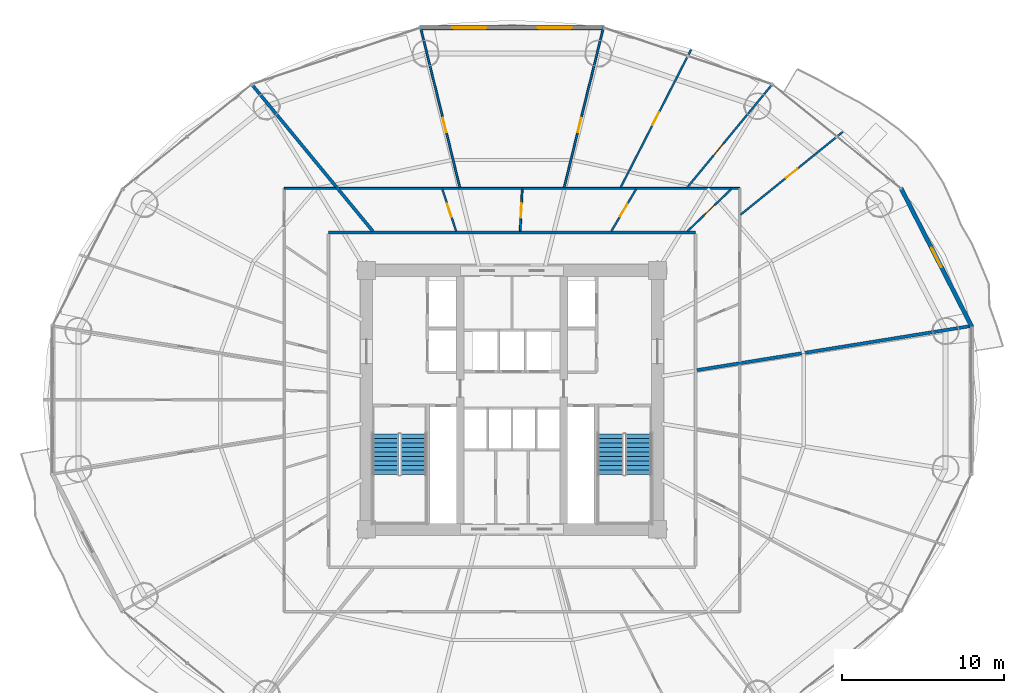
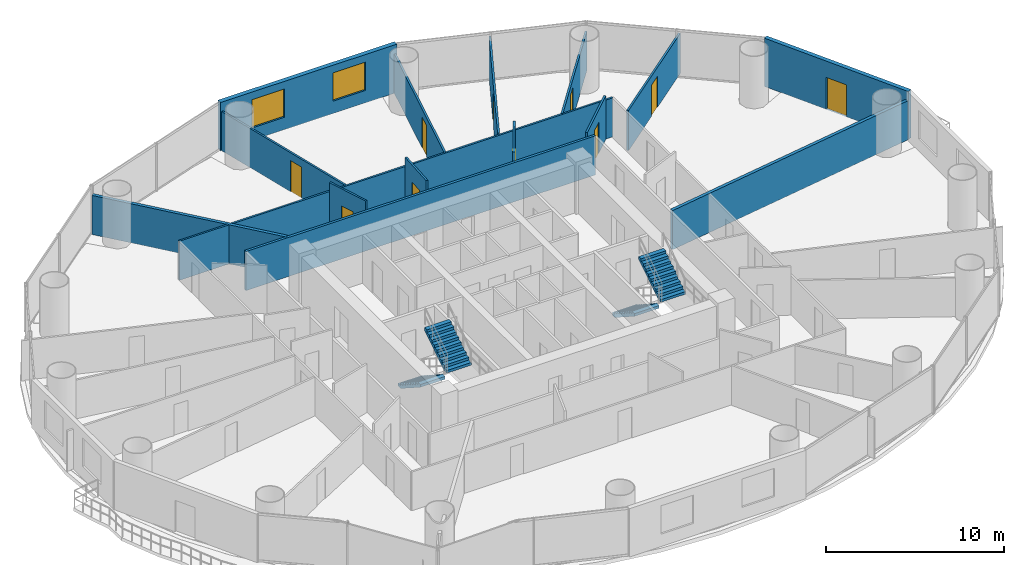
# One storey, part 24 of 28: 16 walls, 10 doors, 4 stair flights, 2 windows, 12 openings, 2 elements without a shape of their own.
"""IFC4 building model written with IfcOpenShell, lengths in metres."""

from ifc_helpers import new_model, si_unit, direction, frame, frame_2d, origin, place, context, subcontext, project, spatial, polyline, rectangle, outline, extrude, source, transform, mapped, material, layer, layer_set, type_object, element, fill, aggregate, save


model = new_model("IFC4")

# Units and contexts
model_context = context("Model", 3, precision=1e-05, world=origin(), true_north=direction((-0.2419218956, 0.970295726276)))
body_context = subcontext(model_context, "Body", "Model", "MODEL_VIEW")
ifc_project = project(units=[si_unit("LENGTHUNIT", "METRE"), si_unit("AREAUNIT", "SQUARE_METRE"), si_unit("VOLUMEUNIT", "CUBIC_METRE"), si_unit("PLANEANGLEUNIT", "RADIAN"), si_unit("MASSUNIT", "GRAM", prefix="KILO")], contexts=[model_context])

# Site, building, storey
site_placement = place(None, origin())
site = spatial("IfcSite", under=ifc_project, at=site_placement, CompositionType="ELEMENT")
building_placement = place(site_placement, origin())
building = spatial("IfcBuilding", under=site, at=building_placement, Name="Cobrevalo Terracotta Tower", CompositionType="ELEMENT")
storey_placement = place(building_placement, frame((0.0, 0.0, 34.800048828125)))
storey = spatial("IfcBuildingStorey", under=building, at=storey_placement, Name="L08", CompositionType="ELEMENT", Elevation=34.800048828125)

# Walls
ifc_material_1 = material(Name="Gypsum board on steel stud", Category="steel")
ifc_layer_1 = layer(ifc_material_1, 0.159912109375)
ifc_layer_set_1 = layer_set([ifc_layer_1], Name="Gypsum board on steel stud")
wall_type_1 = type_object("IfcWallType", Name="Fire-rated corridor acoustic partition wall 160 mm", PredefinedType="PARTITIONING", material=ifc_layer_set_1)
wall_1_placement = place(storey_placement, frame((26.64501953125, 37.155029296875, 0.0), z_axis=(0.0, 0.0, 1.0), x_axis=(1.0, 0.0, 0.0)))
element("IfcWall", 1, at=wall_1_placement, inside=storey, type_object=wall_type_1, Name="L08 interior partition IW-L08-COR-N", PredefinedType="PARTITIONING", context=body_context, shape_type="SweptSolid", body=[
    extrude(rectangle(XDim=22.7099609375, YDim=0.159912109375, at=frame_2d((11.35498046875, 0.0))), origin(), (0.0, 0.0, 1.0), 2.68798828125),
])
ifc_material_2 = material(Name="Autoclaved aerated concrete block", Category="concrete")
ifc_layer_2 = layer(ifc_material_2, 0.199951171875)
ifc_layer_set_2 = layer_set([ifc_layer_2], Name="Autoclaved aerated concrete block")
wall_type_2 = type_object("IfcWallType", Name="Fire-rated stair, shaft & demising masonry wall 200 mm", PredefinedType="PARTITIONING", material=ifc_layer_set_2)
wall_2_placement = place(storey_placement, frame((49.43505859375, 28.64306640625, 0.0), z_axis=(0.0, 0.0, 1.0), x_axis=(0.987255953651, 0.159140447344, 0.0)))
element("IfcWall", 2, at=wall_2_placement, inside=storey, type_object=wall_type_2, Name="L08 interior partition IW-L08-DEM-1", PredefinedType="PARTITIONING", context=body_context, shape_type="SweptSolid", body=[
    extrude(rectangle(XDim=17.10546875, YDim=0.199951171875, at=frame_2d((8.552734375, 0.0))), origin(), (0.0, 0.0, 1.0), 2.68798828125),
])
wall_3_placement = place(storey_placement, frame((29.39453125, 37.236572265625, 0.0), z_axis=(0.0, 0.0, 1.0), x_axis=(-0.636195770442, 0.77152766747, 0.0)))
element("IfcWall", 3, at=wall_3_placement, inside=storey, type_object=wall_type_2, Name="L08 interior partition IW-L08-DEM-2", PredefinedType="PARTITIONING", context=body_context, shape_type="SweptSolid", body=[
    extrude(rectangle(XDim=11.680908203125, YDim=0.199951171875, at=frame_2d((5.84033203125, 0.0))), origin(), (0.0, 0.0, 1.0), 2.68798828125),
])

# Wall, openings, windows
ifc_layer_3 = layer(ifc_material_2, 0.280029296875)
ifc_layer_set_3 = layer_set([ifc_layer_3], Name="Autoclaved aerated concrete block")
wall_type_3 = type_object("IfcWallType", Name="Insulated tower spandrel & pier wall 280 mm with terracotta rainscreen", PredefinedType="SOLIDWALL", material=ifc_layer_set_3)
wall_4_placement = place(storey_placement, frame((43.731689453125, 49.819091796875, 0.0), z_axis=(0.0, 0.0, 1.0), x_axis=(-1.0, 0.0, 0.0)))
wall_4 = element("IfcWall", 4, at=wall_4_placement, inside=storey, type_object=wall_type_3, Name="L08 terracotta rainscreen pier wall S04", PredefinedType="SOLIDWALL", context=body_context, shape_type="SweptSolid", body=[
    extrude(rectangle(XDim=11.46337890625, YDim=0.280029296875, at=frame_2d((5.731689453125, 0.0))), origin(), (0.0, 0.0, 1.0), 3.320068359375),
])
opening_1_placement = place(wall_4_placement, frame((2.045166015625, 0.0, 0.85009765625)))
opening_1 = element("IfcOpeningElement", 5, at=opening_1_placement, cuts=wall_4, Name="Opening WN-10", PredefinedType="OPENING", context=body_context, shape_type="SweptSolid", body=[
    extrude(rectangle(XDim=2.10009765625, YDim=1.949951171875, at=frame_2d((1.050048828125, 0.97509765625))), frame((0.0, 0.14990234375, 0.0), z_axis=(0.0, -1.0, 0.0), x_axis=(1.0, 0.0, 0.0)), (0.0, 0.0, 1.0), 0.300048828125),
])
opening_2_placement = place(wall_4_placement, frame((7.318359375, 0.0, 0.85009765625)))
opening_2 = element("IfcOpeningElement", 6, at=opening_2_placement, cuts=wall_4, Name="Opening WN-10", PredefinedType="OPENING", context=body_context, shape_type="SweptSolid", body=[
    extrude(rectangle(XDim=2.10009765625, YDim=1.949951171875, at=frame_2d((1.050048828125, 0.97509765625))), frame((0.0, 0.14990234375, 0.0), z_axis=(0.0, -1.0, 0.0), x_axis=(1.0, 0.0, 0.0)), (0.0, 0.0, 1.0), 0.300048828125),
])
ifc_material_3 = material(Name="Solar-control low-E double glazing", Category="glass")
window_type = type_object("IfcWindowType", Name="Wide panoramic low-E aluminium window 2100x1950", PartitioningType="SINGLE_PANEL", PredefinedType="WINDOW", material=ifc_material_3)
shared_shape_1 = source(origin(), body_context, "Body", "SweptSolid", [
    extrude(rectangle(XDim=2.10009765625, YDim=1.949951171875, at=frame_2d((1.050048828125, 0.97509765625))), frame((0.0, 0.030029296875, 0.0), z_axis=(0.0, -1.0, 0.0), x_axis=(1.0, 0.0, 0.0)), (0.0, 0.0, 1.0), 0.06005859375),
])
window_1_placement = place(opening_1_placement, origin())
window_1 = element("IfcWindow", 7, at=window_1_placement, inside=storey, type_object=window_type, Name="L08 suite window S04A", OverallHeight=1.949951171875, OverallWidth=2.10009765625, PartitioningType="SINGLE_PANEL", PredefinedType="WINDOW", context=body_context, shape_type="MappedRepresentation", body=[
    mapped(shared_shape_1, transform((0.0, 0.0, 0.0), scale=1.0)),
])
fill(opening_1, window_1)
window_2_placement = place(opening_2_placement, origin())
window_2 = element("IfcWindow", 8, at=window_2_placement, inside=storey, type_object=window_type, Name="L08 suite window S04B", OverallHeight=1.949951171875, OverallWidth=2.10009765625, PartitioningType="SINGLE_PANEL", PredefinedType="WINDOW", context=body_context, shape_type="MappedRepresentation", body=[
    mapped(shared_shape_1, transform((0.0, 0.0, 0.0), scale=1.0)),
])
fill(opening_2, window_2)

# Wall, opening, door
ifc_layer_4 = layer(ifc_material_2, 0.260009765625)
ifc_layer_set_4 = layer_set([ifc_layer_4], Name="Autoclaved aerated concrete block")
wall_type_4 = type_object("IfcWallType", Name="Recessed balcony loggia insulated exterior wall 260 mm", PredefinedType="SOLIDWALL", material=ifc_layer_set_4)
wall_5_placement = place(storey_placement, frame((66.44970703125, 31.3076171875, 0.0), z_axis=(0.0, 0.0, 1.0), x_axis=(-0.45523081716, 0.890373462715, 0.0)))
wall_5 = element("IfcWall", 9, at=wall_5_placement, inside=storey, type_object=wall_type_4, Name="L08 balcony loggia wall S01", PredefinedType="SOLIDWALL", context=body_context, shape_type="SweptSolid", body=[
    extrude(rectangle(XDim=9.662109375, YDim=0.260009765625, at=frame_2d((4.8310546875, 0.0))), origin(), (0.0, 0.0, 1.0), 3.320068359375),
])
opening_3_placement = place(wall_5_placement, frame((4.156005859375, 0.0, 0.0)))
opening_3 = element("IfcOpeningElement", 10, at=opening_3_placement, cuts=wall_5, Name="Opening ED-05", PredefinedType="OPENING", context=body_context, shape_type="SweptSolid", body=[
    extrude(rectangle(XDim=1.35009765625, YDim=2.199951171875, at=frame_2d((0.675048828125, 1.10009765625))), frame((0.0, 0.14013671875, 0.0), z_axis=(0.0, -1.0, 0.0), x_axis=(1.0, 0.0, 0.0)), (0.0, 0.0, 1.0), 0.280029296875),
])
ifc_material_4 = material(Name="Anodized aluminium and laminated glass", Category="aluminium")
door_type_1 = type_object("IfcDoorType", Name="Suite balcony acoustic glazed terrace door 1350x2200", OperationType="NOTDEFINED", PredefinedType="DOOR", material=ifc_material_4)
shared_shape_2 = source(origin(), body_context, "Body", "SweptSolid", [
    extrude(rectangle(XDim=1.35009765625, YDim=2.199951171875, at=frame_2d((0.675048828125, 1.10009765625))), frame((0.0, 0.02490234375, 0.0), z_axis=(0.0, -1.0, 0.0), x_axis=(1.0, 0.0, 0.0)), (0.0, 0.0, 1.0), 0.050048828125),
])
door_1_placement = place(opening_3_placement, frame((1.35009765625, 0.0, 0.0), z_axis=(0.0, 0.0, 1.0), x_axis=(-1.0, 0.0, 0.0)))
door_1 = element("IfcDoor", 11, at=door_1_placement, inside=storey, type_object=door_type_1, Name="L08 glazed balcony terrace door 1", OperationType="SINGLE_SWING_LEFT", OverallHeight=2.199951171875, OverallWidth=1.35009765625, PredefinedType="DOOR", context=body_context, shape_type="MappedRepresentation", body=[
    mapped(shared_shape_2, transform((0.0, 0.0, 0.0), scale=1.0)),
])
fill(opening_3, door_1)

# Wall
ifc_layer_5 = layer(ifc_material_1, 0.1201171875)
ifc_layer_set_5 = layer_set([ifc_layer_5], Name="Gypsum board on steel stud")
wall_type_5 = type_object("IfcWallType", Name="Residential internal acoustic stud partition 120 mm", PredefinedType="PARTITIONING", material=ifc_layer_set_5)
wall_6_placement = place(storey_placement, frame((27.3125, 39.885009765625, 0.0), z_axis=(0.0, 0.0, 1.0), x_axis=(1.0, 0.0, 0.0)))
element("IfcWall", 12, at=wall_6_placement, inside=storey, type_object=wall_type_5, Name="L08 interior partition IW-L08-U1-RING0_0", PredefinedType="PARTITIONING", context=body_context, shape_type="SweptSolid", body=[
    extrude(rectangle(XDim=24.7724609375, YDim=0.1201171875, at=frame_2d((12.38623046875, 0.0))), origin(), (0.0, 0.0, 1.0), 2.68798828125),
])

# Wall, opening, door
wall_7_placement = place(storey_placement, frame((52.133056640625, 38.252685546875, 0.0), z_axis=(0.0, 0.0, 1.0), x_axis=(0.776936623447, 0.629578814087, 0.0)))
wall_7 = element("IfcWall", 13, at=wall_7_placement, inside=storey, type_object=wall_type_5, Name="L08 interior partition IW-L08-U1-ORAD1", PredefinedType="PARTITIONING", context=body_context, shape_type="SweptSolid", body=[
    extrude(rectangle(XDim=8.136474609375, YDim=0.1201171875, at=frame_2d((4.068359375, 0.0))), origin(), (0.0, 0.0, 1.0), 2.761962890625),
])
opening_4_placement = place(wall_7_placement, frame((3.618408203125, 0.0, 0.0)))
opening_4 = element("IfcOpeningElement", 14, at=opening_4_placement, cuts=wall_7, Name="Opening ID-12", PredefinedType="OPENING", context=body_context, shape_type="SweptSolid", body=[
    extrude(rectangle(XDim=0.89990234375, YDim=2.14990234375, at=frame_2d((0.449951171875, 1.074951171875))), frame((0.0, 0.070068359375, 0.0), z_axis=(0.0, -1.0, 0.0), x_axis=(1.0, 0.0, 0.0)), (0.0, 0.0, 1.0), 0.14013671875),
])
ifc_material_5 = material(Name="Engineered timber", Category="wood")
door_type_2 = type_object("IfcDoorType", Name="Internal residence & suite timber door 900x2150", OperationType="NOTDEFINED", PredefinedType="DOOR", material=ifc_material_5)
shared_shape_3 = source(origin(), body_context, "Body", "SweptSolid", [
    extrude(rectangle(XDim=0.89990234375, YDim=2.14990234375, at=frame_2d((0.449951171875, 1.074951171875))), frame((0.0, 0.02490234375, 0.0), z_axis=(0.0, -1.0, 0.0), x_axis=(1.0, 0.0, 0.0)), (0.0, 0.0, 1.0), 0.050048828125),
])
door_2_placement = place(opening_4_placement, origin())
door_2 = element("IfcDoor", 15, at=door_2_placement, inside=storey, type_object=door_type_2, Name="Flat L08A Master Bedroom internal door", OperationType="SINGLE_SWING_RIGHT", OverallHeight=2.14990234375, OverallWidth=0.89990234375, PredefinedType="DOOR", context=body_context, shape_type="MappedRepresentation", body=[
    mapped(shared_shape_3, transform((0.0, 0.0, 0.0), scale=1.0)),
])
fill(opening_4, door_2)

wall_8_placement = place(storey_placement, frame((48.828857421875, 39.932861328125, 0.0), z_axis=(0.0, 0.0, 1.0), x_axis=(0.636192172227, 0.771530634516, 0.0)))
wall_8 = element("IfcWall", 16, at=wall_8_placement, inside=storey, type_object=wall_type_5, Name="L08 interior partition IW-L08-U1-ORAD2M1", PredefinedType="PARTITIONING", context=body_context, shape_type="SweptSolid", body=[
    extrude(rectangle(XDim=8.186279296875, YDim=0.1201171875, at=frame_2d((4.09326171875, 0.0))), origin(), (0.0, 0.0, 1.0), 2.68798828125),
])
opening_5_placement = place(wall_8_placement, frame((2.584228515625, 0.0, 0.0)))
opening_5 = element("IfcOpeningElement", 17, at=opening_5_placement, cuts=wall_8, Name="Opening ID-12", PredefinedType="OPENING", context=body_context, shape_type="SweptSolid", body=[
    extrude(rectangle(XDim=0.89990234375, YDim=2.14990234375, at=frame_2d((0.449951171875, 1.074951171875))), frame((0.0, 0.070068359375, 0.0), z_axis=(0.0, -1.0, 0.0), x_axis=(1.0, 0.0, 0.0)), (0.0, 0.0, 1.0), 0.14013671875),
])
door_3_placement = place(opening_5_placement, origin())
door_3 = element("IfcDoor", 18, at=door_3_placement, inside=storey, type_object=door_type_2, Name="Flat L08A Principal Guest Bedroom internal door", OperationType="SINGLE_SWING_LEFT", OverallHeight=2.14990234375, OverallWidth=0.89990234375, PredefinedType="DOOR", context=body_context, shape_type="MappedRepresentation", body=[
    mapped(shared_shape_3, transform((0.0, 0.0, 0.0), scale=1.0)),
])
fill(opening_5, door_3)

wall_9_placement = place(storey_placement, frame((44.716796875, 39.940185546875, 0.0), z_axis=(0.0, 0.0, 1.0), x_axis=(0.455131303234, 0.890424335256, 0.0)))
wall_9 = element("IfcWall", 19, at=wall_9_placement, inside=storey, type_object=wall_type_5, Name="L08 interior partition IW-L08-U1-ORAD2M2", PredefinedType="PARTITIONING", context=body_context, shape_type="SweptSolid", body=[
    extrude(rectangle(XDim=9.562255859375, YDim=0.1201171875, at=frame_2d((4.78125, 0.0))), origin(), (0.0, 0.0, 1.0), 2.761962890625),
])
opening_6_placement = place(wall_9_placement, frame((4.3310546875, 0.0, 0.0)))
opening_6 = element("IfcOpeningElement", 20, at=opening_6_placement, cuts=wall_9, Name="Opening ID-12", PredefinedType="OPENING", context=body_context, shape_type="SweptSolid", body=[
    extrude(rectangle(XDim=0.89990234375, YDim=2.14990234375, at=frame_2d((0.449951171875, 1.074951171875))), frame((0.0, 0.070068359375, 0.0), z_axis=(0.0, -1.0, 0.0), x_axis=(1.0, 0.0, 0.0)), (0.0, 0.0, 1.0), 0.14013671875),
])
door_4_placement = place(opening_6_placement, origin())
door_4 = element("IfcDoor", 21, at=door_4_placement, inside=storey, type_object=door_type_2, Name="Flat L08A Principal Guest Bedroom internal door", OperationType="SINGLE_SWING_RIGHT", OverallHeight=2.14990234375, OverallWidth=0.89990234375, PredefinedType="DOOR", context=body_context, shape_type="MappedRepresentation", body=[
    mapped(shared_shape_3, transform((0.0, 0.0, 0.0), scale=1.0)),
])
fill(opening_6, door_4)

wall_10_placement = place(storey_placement, frame((41.226806640625, 39.9453125, 0.0), z_axis=(0.0, 0.0, 1.0), x_axis=(0.238375747469, 0.97117300365, 0.0)))
wall_10 = element("IfcWall", 22, at=wall_10_placement, inside=storey, type_object=wall_type_5, Name="L08 interior partition IW-L08-U1-ORAD2", PredefinedType="PARTITIONING", context=body_context, shape_type="SweptSolid", body=[
    extrude(rectangle(XDim=10.086181640625, YDim=0.1201171875, at=frame_2d((5.04296875, 0.0))), origin(), (0.0, 0.0, 1.0), 2.68798828125),
])
opening_7_placement = place(wall_10_placement, frame((3.5185546875, 0.0, 0.0)))
opening_7 = element("IfcOpeningElement", 23, at=opening_7_placement, cuts=wall_10, Name="Opening ID-12", PredefinedType="OPENING", context=body_context, shape_type="SweptSolid", body=[
    extrude(rectangle(XDim=0.89990234375, YDim=2.14990234375, at=frame_2d((0.449951171875, 1.074951171875))), frame((0.0, 0.070068359375, 0.0), z_axis=(0.0, -1.0, 0.0), x_axis=(1.0, 0.0, 0.0)), (0.0, 0.0, 1.0), 0.14013671875),
])
door_5_placement = place(opening_7_placement, origin())
door_5 = element("IfcDoor", 24, at=door_5_placement, inside=storey, type_object=door_type_2, Name="Flat L08A Penthouse Family Lounge internal door", OperationType="SINGLE_SWING_LEFT", OverallHeight=2.14990234375, OverallWidth=0.89990234375, PredefinedType="DOOR", context=body_context, shape_type="MappedRepresentation", body=[
    mapped(shared_shape_3, transform((0.0, 0.0, 0.0), scale=1.0)),
])
fill(opening_7, door_5)

wall_11_placement = place(storey_placement, frame((34.773193359375, 39.9453125, 0.0), z_axis=(0.0, 0.0, 1.0), x_axis=(-0.238375747469, 0.97117300365, 0.0)))
wall_11 = element("IfcWall", 25, at=wall_11_placement, inside=storey, type_object=wall_type_5, Name="L08 interior partition IW-L08-U1-ORAD3", PredefinedType="PARTITIONING", context=body_context, shape_type="SweptSolid", body=[
    extrude(rectangle(XDim=10.086181640625, YDim=0.1201171875, at=frame_2d((5.04296875, 0.0))), origin(), (0.0, 0.0, 1.0), 2.68798828125),
])
opening_8_placement = place(wall_11_placement, frame((3.51806640625, 0.0, 0.0)))
opening_8 = element("IfcOpeningElement", 26, at=opening_8_placement, cuts=wall_11, Name="Opening ID-12", PredefinedType="OPENING", context=body_context, shape_type="SweptSolid", body=[
    extrude(rectangle(XDim=0.89990234375, YDim=2.14990234375, at=frame_2d((0.449951171875, 1.074951171875))), frame((0.0, 0.070068359375, 0.0), z_axis=(0.0, -1.0, 0.0), x_axis=(1.0, 0.0, 0.0)), (0.0, 0.0, 1.0), 0.14013671875),
])
door_6_placement = place(opening_8_placement, origin())
door_6 = element("IfcDoor", 27, at=door_6_placement, inside=storey, type_object=door_type_2, Name="Flat L08A Penthouse Family Lounge internal door", OperationType="SINGLE_SWING_RIGHT", OverallHeight=2.14990234375, OverallWidth=0.89990234375, PredefinedType="DOOR", context=body_context, shape_type="MappedRepresentation", body=[
    mapped(shared_shape_3, transform((0.0, 0.0, 0.0), scale=1.0)),
])
fill(opening_8, door_6)

wall_12_placement = place(storey_placement, frame((48.854736328125, 37.236328125, 0.0), z_axis=(0.0, 0.0, 1.0), x_axis=(0.720835560675, 0.693106120638, 0.0)))
wall_12 = element("IfcWall", 28, at=wall_12_placement, inside=storey, type_object=wall_type_5, Name="L08 interior partition IW-L08-U1-IRAD2", PredefinedType="PARTITIONING", context=body_context, shape_type="SweptSolid", body=[
    extrude(rectangle(XDim=3.759521484375, YDim=0.1201171875, at=frame_2d((1.8798828125, 0.0))), origin(), (0.0, 0.0, 1.0), 2.9990234375),
])
opening_9_placement = place(wall_12_placement, frame((1.4296875, 0.0, 0.0)))
opening_9 = element("IfcOpeningElement", 29, at=opening_9_placement, cuts=wall_12, Name="Opening ID-12", PredefinedType="OPENING", context=body_context, shape_type="SweptSolid", body=[
    extrude(rectangle(XDim=0.89990234375, YDim=2.14990234375, at=frame_2d((0.449951171875, 1.074951171875))), frame((0.0, 0.070068359375, 0.0), z_axis=(0.0, -1.0, 0.0), x_axis=(1.0, 0.0, 0.0)), (0.0, 0.0, 1.0), 0.14013671875),
])
door_7_placement = place(opening_9_placement, origin())
door_7 = element("IfcDoor", 30, at=door_7_placement, inside=storey, type_object=door_type_2, Name="Flat L08A Kitchen internal door", OperationType="SINGLE_SWING_RIGHT", OverallHeight=2.14990234375, OverallWidth=0.89990234375, PredefinedType="DOOR", context=body_context, shape_type="MappedRepresentation", body=[
    mapped(shared_shape_3, transform((0.0, 0.0, 0.0), scale=1.0)),
])
fill(opening_9, door_7)

wall_13_placement = place(storey_placement, frame((44.14306640625, 37.23681640625, 0.0), z_axis=(0.0, 0.0, 1.0), x_axis=(0.507275244465, 0.861784094976, 0.0)))
wall_13 = element("IfcWall", 31, at=wall_13_placement, inside=storey, type_object=wall_type_5, Name="L08 interior partition IW-L08-U1-IRAD3", PredefinedType="PARTITIONING", context=body_context, shape_type="SweptSolid", body=[
    extrude(rectangle(XDim=3.010986328125, YDim=0.1201171875, at=frame_2d((1.50537109375, 0.0))), origin(), (0.0, 0.0, 1.0), 3.320068359375),
])
opening_10_placement = place(wall_13_placement, frame((1.055419921875, 0.0, 0.0)))
opening_10 = element("IfcOpeningElement", 32, at=opening_10_placement, cuts=wall_13, Name="Opening ID-12", PredefinedType="OPENING", context=body_context, shape_type="SweptSolid", body=[
    extrude(rectangle(XDim=0.89990234375, YDim=2.14990234375, at=frame_2d((0.449951171875, 1.074951171875))), frame((0.0, 0.070068359375, 0.0), z_axis=(0.0, -1.0, 0.0), x_axis=(1.0, 0.0, 0.0)), (0.0, 0.0, 1.0), 0.14013671875),
])
door_8_placement = place(opening_10_placement, origin())
door_8 = element("IfcDoor", 33, at=door_8_placement, inside=storey, type_object=door_type_2, Name="Flat L08A Utility Closet internal door", OperationType="SINGLE_SWING_LEFT", OverallHeight=2.14990234375, OverallWidth=0.89990234375, PredefinedType="DOOR", context=body_context, shape_type="MappedRepresentation", body=[
    mapped(shared_shape_3, transform((0.0, 0.0, 0.0), scale=1.0)),
])
fill(opening_10, door_8)

wall_14_placement = place(storey_placement, frame((38.506103515625, 37.237060546875, 0.0), z_axis=(0.0, 0.0, 1.0), x_axis=(0.048376073987, 0.998829192338, 0.0)))
wall_14 = element("IfcWall", 34, at=wall_14_placement, inside=storey, type_object=wall_type_5, Name="L08 interior partition IW-L08-U1-IRAD4", PredefinedType="PARTITIONING", context=body_context, shape_type="SweptSolid", body=[
    extrude(rectangle(XDim=2.5888671875, YDim=0.1201171875, at=frame_2d((1.29443359375, 0.0))), origin(), (0.0, 0.0, 1.0), 3.320068359375),
])
opening_11_placement = place(wall_14_placement, frame((0.844482421875, 0.0, 0.0)))
opening_11 = element("IfcOpeningElement", 35, at=opening_11_placement, cuts=wall_14, Name="Opening ID-12", PredefinedType="OPENING", context=body_context, shape_type="SweptSolid", body=[
    extrude(rectangle(XDim=0.89990234375, YDim=2.14990234375, at=frame_2d((0.449951171875, 1.074951171875))), frame((0.0, 0.070068359375, 0.0), z_axis=(0.0, -1.0, 0.0), x_axis=(1.0, 0.0, 0.0)), (0.0, 0.0, 1.0), 0.14013671875),
])
door_9_placement = place(opening_11_placement, origin())
door_9 = element("IfcDoor", 36, at=door_9_placement, inside=storey, type_object=door_type_2, Name="Flat L08A Home Office Study internal door", OperationType="SINGLE_SWING_RIGHT", OverallHeight=2.14990234375, OverallWidth=0.89990234375, PredefinedType="DOOR", context=body_context, shape_type="MappedRepresentation", body=[
    mapped(shared_shape_3, transform((0.0, 0.0, 0.0), scale=1.0)),
])
fill(opening_11, door_9)

wall_15_placement = place(storey_placement, frame((34.548828125, 37.23681640625, 0.0), z_axis=(0.0, 0.0, 1.0), x_axis=(-0.313863409377, 0.949468145992, 0.0)))
wall_15 = element("IfcWall", 37, at=wall_15_placement, inside=storey, type_object=wall_type_5, Name="L08 interior partition IW-L08-U1-IRAD5", PredefinedType="PARTITIONING", context=body_context, shape_type="SweptSolid", body=[
    extrude(rectangle(XDim=2.72705078125, YDim=0.1201171875, at=frame_2d((1.363525390625, 0.0))), origin(), (0.0, 0.0, 1.0), 3.320068359375),
])
opening_12_placement = place(wall_15_placement, frame((0.93359375, 0.0, 0.0)))
opening_12 = element("IfcOpeningElement", 38, at=opening_12_placement, cuts=wall_15, Name="Opening ID-19", PredefinedType="OPENING", context=body_context, shape_type="SweptSolid", body=[
    extrude(rectangle(XDim=0.860107421875, YDim=2.14990234375, at=frame_2d((0.43017578125, 1.074951171875))), frame((0.0, 0.070068359375, 0.0), z_axis=(0.0, -1.0, 0.0), x_axis=(1.0, 0.0, 0.0)), (0.0, 0.0, 1.0), 0.14013671875),
])
ifc_material_6 = material(Name="Moisture-sealed timber", Category="wood")
door_type_3 = type_object("IfcDoorType", Name="Suite bathroom internal timber door 860x2150", OperationType="NOTDEFINED", PredefinedType="DOOR", material=ifc_material_6)
shared_shape_4 = source(origin(), body_context, "Body", "SweptSolid", [
    extrude(rectangle(XDim=0.860107421875, YDim=2.14990234375, at=frame_2d((0.43017578125, 1.074951171875))), frame((0.0, 0.02490234375, 0.0), z_axis=(0.0, -1.0, 0.0), x_axis=(1.0, 0.0, 0.0)), (0.0, 0.0, 1.0), 0.050048828125),
])
door_10_placement = place(opening_12_placement, origin())
door_10 = element("IfcDoor", 39, at=door_10_placement, inside=storey, type_object=door_type_3, Name="Flat L08A Guest Bathroom internal door", OperationType="SINGLE_SWING_LEFT", OverallHeight=2.14990234375, OverallWidth=0.860107421875, PredefinedType="DOOR", context=body_context, shape_type="MappedRepresentation", body=[
    mapped(shared_shape_4, transform((0.0, 0.0, 0.0), scale=1.0)),
])
fill(opening_12, door_10)

# Wall
wall_16_placement = place(storey_placement, frame((23.9150390625, 39.885009765625, 0.0), z_axis=(0.0, 0.0, 1.0), x_axis=(1.0, 0.0, 0.0)))
element("IfcWall", 40, at=wall_16_placement, inside=storey, type_object=wall_type_5, Name="L08 interior partition IW-L08-U2-RING2_0", PredefinedType="PARTITIONING", context=body_context, shape_type="SweptSolid", body=[
    extrude(rectangle(XDim=3.193603515625, YDim=0.1201171875, at=frame_2d((1.5966796875, 0.0))), origin(), (0.0, 0.0, 1.0), 2.68798828125),
])

# Stair, stair flights
ifc_material_7 = material(Name="Concrete C50", Category="concrete")
stair_type = type_object("IfcStairType", Name="Core protected escape dogleg stair 1600", PredefinedType="HALF_TURN_STAIR", material=ifc_material_7)
stair_1_placement = place(storey_placement, origin())
stair_1 = element("IfcStair", 41, at=stair_1_placement, inside=storey, type_object=stair_type, Name="L08 Protected exit stair ST-1", PredefinedType="HALF_TURN_STAIR")
stair_flight_type = type_object("IfcStairFlightType", Name="Core protected escape dogleg stair 1600 flight", PredefinedType="STRAIGHT", material=ifc_material_7)
stair_flight_1_placement = place(storey_placement, frame((30.175048828125, 24.699951171875, 0.0), z_axis=(0.0, 0.0, 1.0), x_axis=(0.0, -1.0, 0.0)))
stair_flight_1 = element("IfcStairFlight", 42, at=stair_flight_1_placement, type_object=stair_flight_type, Name="ST-1 flight 1", NumberOfRisers=10, NumberOfTreads=9, PredefinedType="STRAIGHT", RiserHeight=0.18, TreadLength=0.28, context=body_context, shape_type="SweptSolid", body=[
    extrude(outline(polyline([(0.0, 0.0), (0.0, 0.179931640625), (0.280029296875, 0.179931640625), (0.280029296875, 0.360107421875), (0.56005859375, 0.360107421875), (0.56005859375, 0.5400390625), (0.840087890625, 0.5400390625), (0.840087890625, 0.719970703125), (1.1201171875, 0.719970703125), (1.1201171875, 0.89990234375), (1.39990234375, 0.89990234375), (1.39990234375, 1.080078125), (1.679931640625, 1.080078125), (1.679931640625, 1.260009765625), (1.9599609375, 1.260009765625), (1.9599609375, 1.43994140625), (2.239990234375, 1.43994140625), (2.239990234375, 1.6201171875), (2.52001953125, 1.6201171875), (2.52001953125, 1.800048828125), (2.52001953125, 1.429931640625), (0.295654296875, 0.0), (0.0, 0.0)])), frame((0.0, 0.800048828125, 0.0), z_axis=(0.0, -1.0, 0.0), x_axis=(1.0, 0.0, 0.0)), (0.0, 0.0, 1.0), 1.60009765625),
])
stair_flight_2_placement = place(storey_placement, frame((31.89501953125, 22.179931640625, 1.800048828125), z_axis=(0.0, 0.0, 1.0), x_axis=(0.0, 1.0, 0.0)))
stair_flight_2 = element("IfcStairFlight", 43, at=stair_flight_2_placement, type_object=stair_flight_type, Name="ST-1 flight 2", NumberOfRisers=10, NumberOfTreads=9, PredefinedType="STRAIGHT", RiserHeight=0.18, TreadLength=0.28, context=body_context, shape_type="SweptSolid", body=[
    extrude(outline(polyline([(0.0, 0.0), (0.0, 0.179931640625), (0.280029296875, 0.179931640625), (0.280029296875, 0.360107421875), (0.56005859375, 0.360107421875), (0.56005859375, 0.5400390625), (0.840087890625, 0.5400390625), (0.840087890625, 0.719970703125), (1.1201171875, 0.719970703125), (1.1201171875, 0.89990234375), (1.39990234375, 0.89990234375), (1.39990234375, 1.080078125), (1.679931640625, 1.080078125), (1.679931640625, 1.260009765625), (1.9599609375, 1.260009765625), (1.9599609375, 1.43994140625), (2.239990234375, 1.43994140625), (2.239990234375, 1.6201171875), (2.52001953125, 1.6201171875), (2.52001953125, 1.800048828125), (2.52001953125, 1.429931640625), (0.295654296875, 0.0), (0.0, 0.0)])), frame((0.0, 0.800048828125, 0.0), z_axis=(0.0, -1.0, 0.0), x_axis=(1.0, 0.0, 0.0)), (0.0, 0.0, 1.0), 1.60009765625),
])
aggregate(stair_1, [stair_flight_1, stair_flight_2])

stair_2_placement = place(storey_placement, origin())
stair_2 = element("IfcStair", 44, at=stair_2_placement, inside=storey, type_object=stair_type, Name="L08 Protected exit stair ST-2", PredefinedType="HALF_TURN_STAIR")
stair_flight_3_placement = place(storey_placement, frame((44.10498046875, 24.699951171875, 0.0), z_axis=(0.0, 0.0, 1.0), x_axis=(0.0, -1.0, 0.0)))
stair_flight_3 = element("IfcStairFlight", 45, at=stair_flight_3_placement, type_object=stair_flight_type, Name="ST-2 flight 1", NumberOfRisers=10, NumberOfTreads=9, PredefinedType="STRAIGHT", RiserHeight=0.18, TreadLength=0.28, context=body_context, shape_type="SweptSolid", body=[
    extrude(outline(polyline([(0.0, 0.0), (0.0, 0.179931640625), (0.280029296875, 0.179931640625), (0.280029296875, 0.360107421875), (0.56005859375, 0.360107421875), (0.56005859375, 0.5400390625), (0.840087890625, 0.5400390625), (0.840087890625, 0.719970703125), (1.1201171875, 0.719970703125), (1.1201171875, 0.89990234375), (1.39990234375, 0.89990234375), (1.39990234375, 1.080078125), (1.679931640625, 1.080078125), (1.679931640625, 1.260009765625), (1.9599609375, 1.260009765625), (1.9599609375, 1.43994140625), (2.239990234375, 1.43994140625), (2.239990234375, 1.6201171875), (2.52001953125, 1.6201171875), (2.52001953125, 1.800048828125), (2.52001953125, 1.429931640625), (0.295654296875, 0.0), (0.0, 0.0)])), frame((0.0, 0.800048828125, 0.0), z_axis=(0.0, -1.0, 0.0), x_axis=(1.0, 0.0, 0.0)), (0.0, 0.0, 1.0), 1.60009765625),
])
stair_flight_4_placement = place(storey_placement, frame((45.824951171875, 22.179931640625, 1.800048828125), z_axis=(0.0, 0.0, 1.0), x_axis=(0.0, 1.0, 0.0)))
stair_flight_4 = element("IfcStairFlight", 46, at=stair_flight_4_placement, type_object=stair_flight_type, Name="ST-2 flight 2", NumberOfRisers=10, NumberOfTreads=9, PredefinedType="STRAIGHT", RiserHeight=0.18, TreadLength=0.28, context=body_context, shape_type="SweptSolid", body=[
    extrude(outline(polyline([(0.0, 0.0), (0.0, 0.179931640625), (0.280029296875, 0.179931640625), (0.280029296875, 0.360107421875), (0.56005859375, 0.360107421875), (0.56005859375, 0.5400390625), (0.840087890625, 0.5400390625), (0.840087890625, 0.719970703125), (1.1201171875, 0.719970703125), (1.1201171875, 0.89990234375), (1.39990234375, 0.89990234375), (1.39990234375, 1.080078125), (1.679931640625, 1.080078125), (1.679931640625, 1.260009765625), (1.9599609375, 1.260009765625), (1.9599609375, 1.43994140625), (2.239990234375, 1.43994140625), (2.239990234375, 1.6201171875), (2.52001953125, 1.6201171875), (2.52001953125, 1.800048828125), (2.52001953125, 1.429931640625), (0.295654296875, 0.0), (0.0, 0.0)])), frame((0.0, 0.800048828125, 0.0), z_axis=(0.0, -1.0, 0.0), x_axis=(1.0, 0.0, 0.0)), (0.0, 0.0, 1.0), 1.60009765625),
])
aggregate(stair_2, [stair_flight_3, stair_flight_4])

save(model, "model.ifc")
